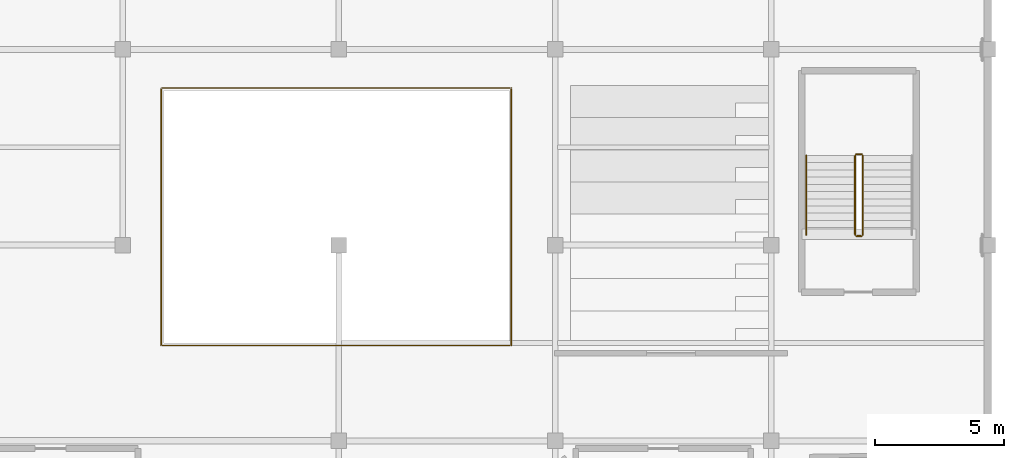
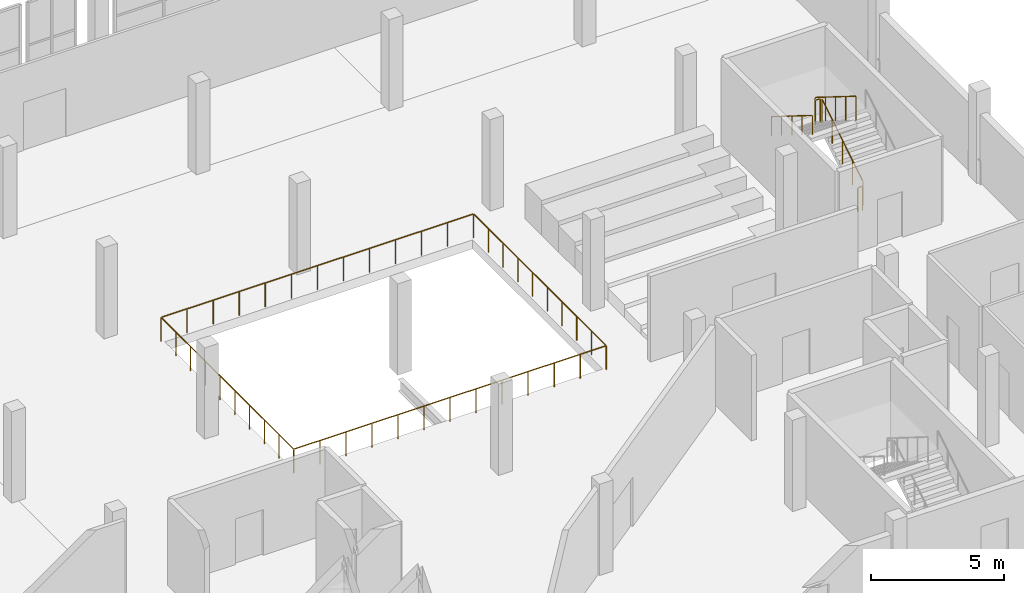
# One storey, part 209 of 217: 6 railings.
"""IFC4 building model written with IfcOpenShell, lengths in metres."""

from ifc_helpers import new_model, si_unit, direction, frame, origin, origin_2d, place, context, subcontext, project, spatial, circle, extrude, material, type_object, element, save


model = new_model("IFC4")

# Units and contexts
model_context = context("Model", 3, precision=1e-05, world=origin(), true_north=direction((0.0, 1.0)))
body_context = subcontext(model_context, "Body", "Model", "MODEL_VIEW")
ifc_project = project(units=[si_unit("LENGTHUNIT", "METRE"), si_unit("AREAUNIT", "SQUARE_METRE"), si_unit("VOLUMEUNIT", "CUBIC_METRE"), si_unit("PLANEANGLEUNIT", "RADIAN"), si_unit("MASSUNIT", "GRAM", prefix="KILO")], contexts=[model_context])

# Site, building, storey
site_placement = place(None, origin())
site = spatial("IfcSite", under=ifc_project, at=site_placement, CompositionType="ELEMENT")
building_placement = place(site_placement, origin())
building = spatial("IfcBuilding", under=site, at=building_placement, Name="Zuvorla Pavilion Media Centre", CompositionType="ELEMENT")
storey_placement = place(building_placement, frame((0.0, 0.0, 9.60009765625)))
storey = spatial("IfcBuildingStorey", under=building, at=storey_placement, Name="L02", CompositionType="ELEMENT", Elevation=9.60009765625)

# Railings
ifc_material_1 = material(Name="Powder-coated steel balustrade guard", Category="steel")
railing_type_1 = type_object("IfcRailingType", Name="RL-INT-GRD", PredefinedType="BALUSTRADE", material=ifc_material_1)
railing_1_placement = place(storey_placement, frame((103.949951171875, 29.199951171875, 0.1748046875)))
element("IfcRailing", 1, at=railing_1_placement, inside=storey, type_object=railing_type_1, Name="L02 ST-04 stair guard 1", PredefinedType="BALUSTRADE", context=body_context, shape_type="SweptSolid", body=[
    extrude(circle(Radius=0.02392578125, at=origin_2d()), frame((0.0, 0.0244140625, 1.111328125), z_axis=(0.0, 0.847998304005, 0.529998940003), x_axis=(-1.0, 0.0, 0.0)), (0.0, 0.0, 1.0), 3.574462890625),
    extrude(circle(Radius=0.02099609375, at=origin_2d()), origin(), (0.0, 0.0, 1.0), 1.070068359375),
    extrude(circle(Radius=0.02099609375, at=origin_2d()), frame((0.0, 0.77001953125, 0.481201171875)), (0.0, 0.0, 1.0), 1.070068359375),
    extrude(circle(Radius=0.02099609375, at=origin_2d()), frame((0.0, 1.5400390625, 0.96240234375)), (0.0, 0.0, 1.0), 1.070068359375),
    extrude(circle(Radius=0.02099609375, at=origin_2d()), frame((0.0, 2.31005859375, 1.44384765625)), (0.0, 0.0, 1.0), 1.070068359375),
    extrude(circle(Radius=0.02099609375, at=origin_2d()), frame((0.0, 3.080078125, 1.925048828125)), (0.0, 0.0, 1.0), 1.070068359375),
])
railing_2_placement = place(storey_placement, frame((103.89990234375, 32.330078125, 2.099853515625)))
element("IfcRailing", 2, at=railing_2_placement, inside=storey, type_object=railing_type_1, Name="L02 ST-04 stair guard 2", PredefinedType="BALUSTRADE", context=body_context, shape_type="SweptSolid", body=[
    extrude(circle(Radius=0.02392578125, at=origin_2d()), frame((-0.02880859375, 0.0, 1.09619140625), z_axis=(-1.0, 0.0, 0.0), x_axis=(0.0, -1.0, 0.0)), (0.0, 0.0, 1.0), 0.142333984375),
    extrude(circle(Radius=0.02099609375, at=origin_2d()), origin(), (0.0, 0.0, 1.0), 1.070068359375),
    extrude(circle(Radius=0.02099609375, at=origin_2d()), frame((-0.199951171875, 0.0, 0.0)), (0.0, 0.0, 1.0), 1.070068359375),
])
railing_3_placement = place(storey_placement, frame((103.64990234375, 32.280029296875, 2.27490234375)))
element("IfcRailing", 3, at=railing_3_placement, inside=storey, type_object=railing_type_1, Name="L02 ST-04 stair guard 3", PredefinedType="BALUSTRADE", context=body_context, shape_type="SweptSolid", body=[
    extrude(circle(Radius=0.02392578125, at=origin_2d()), frame((0.0, -0.0244140625, 1.111328125), z_axis=(0.0, -0.847998304005, 0.529998940003), x_axis=(1.0, 0.0, 0.0)), (0.0, 0.0, 1.0), 3.574462890625),
    extrude(circle(Radius=0.02099609375, at=origin_2d()), origin(), (0.0, 0.0, 1.0), 1.070068359375),
    extrude(circle(Radius=0.02099609375, at=origin_2d()), frame((0.0, -0.77001953125, 0.481201171875)), (0.0, 0.0, 1.0), 1.070068359375),
    extrude(circle(Radius=0.02099609375, at=origin_2d()), frame((0.0, -1.5400390625, 0.96240234375)), (0.0, 0.0, 1.0), 1.070068359375),
    extrude(circle(Radius=0.02099609375, at=origin_2d()), frame((0.0, -2.31005859375, 1.44384765625)), (0.0, 0.0, 1.0), 1.070068359375),
    extrude(circle(Radius=0.02099609375, at=origin_2d()), frame((0.0, -3.080078125, 1.925048828125)), (0.0, 0.0, 1.0), 1.070068359375),
])
railing_4_placement = place(storey_placement, frame((103.89990234375, 29.14990234375, 0.0)))
element("IfcRailing", 4, at=railing_4_placement, inside=storey, type_object=railing_type_1, Name="L02 ST-04 stair guard 4", PredefinedType="BALUSTRADE", context=body_context, shape_type="SweptSolid", body=[
    extrude(circle(Radius=0.02392578125, at=origin_2d()), frame((-0.02880859375, 0.0, 1.09619140625), z_axis=(-1.0, 0.0, 0.0), x_axis=(0.0, -1.0, 0.0)), (0.0, 0.0, 1.0), 0.142333984375),
    extrude(circle(Radius=0.02099609375, at=origin_2d()), origin(), (0.0, 0.0, 1.0), 1.070068359375),
    extrude(circle(Radius=0.02099609375, at=origin_2d()), frame((-0.199951171875, 0.0, 0.0)), (0.0, 0.0, 1.0), 1.070068359375),
])
railing_5_placement = place(storey_placement, frame((76.699951171875, 24.89990234375, 0.0)))
element("IfcRailing", 5, at=railing_5_placement, inside=storey, type_object=railing_type_1, Name="L02 scr3void edge guard", PredefinedType="BALUSTRADE", context=body_context, shape_type="SweptSolid", body=[
    extrude(circle(Radius=0.02392578125, at=origin_2d()), frame((0.02880859375, 0.0, 1.09619140625), z_axis=(1.0, 0.0, 0.0), x_axis=(0.0, 1.0, 0.0)), (0.0, 0.0, 1.0), 13.54248046875),
    extrude(circle(Radius=0.02392578125, at=origin_2d()), frame((13.60009765625, 0.02880859375, 1.09619140625), z_axis=(0.0, 1.0, 0.0), x_axis=(-1.0, 0.0, 0.0)), (0.0, 0.0, 1.0), 9.9423828125),
    extrude(circle(Radius=0.02392578125, at=origin_2d()), frame((13.5712890625, 10.0, 1.09619140625), z_axis=(-1.0, 0.0, 0.0), x_axis=(0.0, -1.0, 0.0)), (0.0, 0.0, 1.0), 13.54248046875),
    extrude(circle(Radius=0.02392578125, at=origin_2d()), frame((0.0, 9.97119140625, 1.09619140625), z_axis=(0.0, -1.0, 0.0), x_axis=(1.0, 0.0, 0.0)), (0.0, 0.0, 1.0), 9.9423828125),
    extrude(circle(Radius=0.02099609375, at=origin_2d()), origin(), (0.0, 0.0, 1.0), 1.070068359375),
    extrude(circle(Radius=0.02099609375, at=origin_2d()), frame((1.13330078125, 0.0, 0.0)), (0.0, 0.0, 1.0), 1.070068359375),
    extrude(circle(Radius=0.02099609375, at=origin_2d()), frame((2.2666015625, 0.0, 0.0)), (0.0, 0.0, 1.0), 1.070068359375),
    extrude(circle(Radius=0.02099609375, at=origin_2d()), frame((3.39990234375, 0.0, 0.0)), (0.0, 0.0, 1.0), 1.070068359375),
    extrude(circle(Radius=0.02099609375, at=origin_2d()), frame((4.533447265625, 0.0, 0.0)), (0.0, 0.0, 1.0), 1.070068359375),
    extrude(circle(Radius=0.02099609375, at=origin_2d()), frame((5.666748046875, 0.0, 0.0)), (0.0, 0.0, 1.0), 1.070068359375),
    extrude(circle(Radius=0.02099609375, at=origin_2d()), frame((6.800048828125, 0.0, 0.0)), (0.0, 0.0, 1.0), 1.070068359375),
    extrude(circle(Radius=0.02099609375, at=origin_2d()), frame((7.933349609375, 0.0, 0.0)), (0.0, 0.0, 1.0), 1.070068359375),
    extrude(circle(Radius=0.02099609375, at=origin_2d()), frame((9.066650390625, 0.0, 0.0)), (0.0, 0.0, 1.0), 1.070068359375),
    extrude(circle(Radius=0.02099609375, at=origin_2d()), frame((10.2001953125, 0.0, 0.0)), (0.0, 0.0, 1.0), 1.070068359375),
    extrude(circle(Radius=0.02099609375, at=origin_2d()), frame((11.33349609375, 0.0, 0.0)), (0.0, 0.0, 1.0), 1.070068359375),
    extrude(circle(Radius=0.02099609375, at=origin_2d()), frame((12.466796875, 0.0, 0.0)), (0.0, 0.0, 1.0), 1.070068359375),
    extrude(circle(Radius=0.02099609375, at=origin_2d()), frame((13.60009765625, 0.0, 0.0)), (0.0, 0.0, 1.0), 1.070068359375),
    extrude(circle(Radius=0.02099609375, at=origin_2d()), frame((13.60009765625, 1.111083984375, 0.0)), (0.0, 0.0, 1.0), 1.070068359375),
    extrude(circle(Radius=0.02099609375, at=origin_2d()), frame((13.60009765625, 2.22216796875, 0.0)), (0.0, 0.0, 1.0), 1.070068359375),
    extrude(circle(Radius=0.02099609375, at=origin_2d()), frame((13.60009765625, 3.333251953125, 0.0)), (0.0, 0.0, 1.0), 1.070068359375),
    extrude(circle(Radius=0.02099609375, at=origin_2d()), frame((13.60009765625, 4.4443359375, 0.0)), (0.0, 0.0, 1.0), 1.070068359375),
    extrude(circle(Radius=0.02099609375, at=origin_2d()), frame((13.60009765625, 5.5556640625, 0.0)), (0.0, 0.0, 1.0), 1.070068359375),
    extrude(circle(Radius=0.02099609375, at=origin_2d()), frame((13.60009765625, 6.666748046875, 0.0)), (0.0, 0.0, 1.0), 1.070068359375),
    extrude(circle(Radius=0.02099609375, at=origin_2d()), frame((13.60009765625, 7.77783203125, 0.0)), (0.0, 0.0, 1.0), 1.070068359375),
    extrude(circle(Radius=0.02099609375, at=origin_2d()), frame((13.60009765625, 8.888916015625, 0.0)), (0.0, 0.0, 1.0), 1.070068359375),
    extrude(circle(Radius=0.02099609375, at=origin_2d()), frame((13.60009765625, 10.0, 0.0)), (0.0, 0.0, 1.0), 1.070068359375),
    extrude(circle(Radius=0.02099609375, at=origin_2d()), frame((12.466796875, 10.0, 0.0)), (0.0, 0.0, 1.0), 1.070068359375),
    extrude(circle(Radius=0.02099609375, at=origin_2d()), frame((11.33349609375, 10.0, 0.0)), (0.0, 0.0, 1.0), 1.070068359375),
    extrude(circle(Radius=0.02099609375, at=origin_2d()), frame((10.2001953125, 10.0, 0.0)), (0.0, 0.0, 1.0), 1.070068359375),
    extrude(circle(Radius=0.02099609375, at=origin_2d()), frame((9.066650390625, 10.0, 0.0)), (0.0, 0.0, 1.0), 1.070068359375),
    extrude(circle(Radius=0.02099609375, at=origin_2d()), frame((7.933349609375, 10.0, 0.0)), (0.0, 0.0, 1.0), 1.070068359375),
    extrude(circle(Radius=0.02099609375, at=origin_2d()), frame((6.800048828125, 10.0, 0.0)), (0.0, 0.0, 1.0), 1.070068359375),
    extrude(circle(Radius=0.02099609375, at=origin_2d()), frame((5.666748046875, 10.0, 0.0)), (0.0, 0.0, 1.0), 1.070068359375),
    extrude(circle(Radius=0.02099609375, at=origin_2d()), frame((4.533447265625, 10.0, 0.0)), (0.0, 0.0, 1.0), 1.070068359375),
    extrude(circle(Radius=0.02099609375, at=origin_2d()), frame((3.39990234375, 10.0, 0.0)), (0.0, 0.0, 1.0), 1.070068359375),
    extrude(circle(Radius=0.02099609375, at=origin_2d()), frame((2.2666015625, 10.0, 0.0)), (0.0, 0.0, 1.0), 1.070068359375),
    extrude(circle(Radius=0.02099609375, at=origin_2d()), frame((1.13330078125, 10.0, 0.0)), (0.0, 0.0, 1.0), 1.070068359375),
    extrude(circle(Radius=0.02099609375, at=origin_2d()), frame((0.0, 10.0, 0.0)), (0.0, 0.0, 1.0), 1.070068359375),
    extrude(circle(Radius=0.02099609375, at=origin_2d()), frame((0.0, 8.888916015625, 0.0)), (0.0, 0.0, 1.0), 1.070068359375),
    extrude(circle(Radius=0.02099609375, at=origin_2d()), frame((0.0, 7.77783203125, 0.0)), (0.0, 0.0, 1.0), 1.070068359375),
    extrude(circle(Radius=0.02099609375, at=origin_2d()), frame((0.0, 6.666748046875, 0.0)), (0.0, 0.0, 1.0), 1.070068359375),
    extrude(circle(Radius=0.02099609375, at=origin_2d()), frame((0.0, 5.5556640625, 0.0)), (0.0, 0.0, 1.0), 1.070068359375),
    extrude(circle(Radius=0.02099609375, at=origin_2d()), frame((0.0, 4.4443359375, 0.0)), (0.0, 0.0, 1.0), 1.070068359375),
    extrude(circle(Radius=0.02099609375, at=origin_2d()), frame((0.0, 3.333251953125, 0.0)), (0.0, 0.0, 1.0), 1.070068359375),
    extrude(circle(Radius=0.02099609375, at=origin_2d()), frame((0.0, 2.22216796875, 0.0)), (0.0, 0.0, 1.0), 1.070068359375),
    extrude(circle(Radius=0.02099609375, at=origin_2d()), frame((0.0, 1.111083984375, 0.0)), (0.0, 0.0, 1.0), 1.070068359375),
])
ifc_material_2 = material(Name="Brushed stainless steel tubular handrail", Category="steel")
railing_type_2 = type_object("IfcRailingType", Name="RL-INT-HND", PredefinedType="HANDRAIL", material=ifc_material_2)
railing_6_placement = place(storey_placement, frame((101.75, 32.280029296875, 2.27490234375)))
element("IfcRailing", 6, at=railing_6_placement, inside=storey, type_object=railing_type_2, Name="L02 ST-04 handrail 2", PredefinedType="HANDRAIL", context=body_context, shape_type="SweptSolid", body=[
    extrude(circle(Radius=0.02392578125, at=origin_2d()), frame((0.0, -0.0244140625, 0.89111328125), z_axis=(0.0, -0.847998304005, 0.529998940003), x_axis=(1.0, 0.0, 0.0)), (0.0, 0.0, 1.0), 3.574462890625),
    extrude(circle(Radius=0.02099609375, at=origin_2d()), origin(), (0.0, 0.0, 1.0), 0.849853515625),
    extrude(circle(Radius=0.02099609375, at=origin_2d()), frame((0.0, -0.77001953125, 0.481201171875)), (0.0, 0.0, 1.0), 0.849853515625),
    extrude(circle(Radius=0.02099609375, at=origin_2d()), frame((0.0, -1.5400390625, 0.96240234375)), (0.0, 0.0, 1.0), 0.849853515625),
    extrude(circle(Radius=0.02099609375, at=origin_2d()), frame((0.0, -2.31005859375, 1.44384765625)), (0.0, 0.0, 1.0), 0.849853515625),
    extrude(circle(Radius=0.02099609375, at=origin_2d()), frame((0.0, -3.080078125, 1.925048828125)), (0.0, 0.0, 1.0), 0.849853515625),
])

save(model, "model.ifc")
